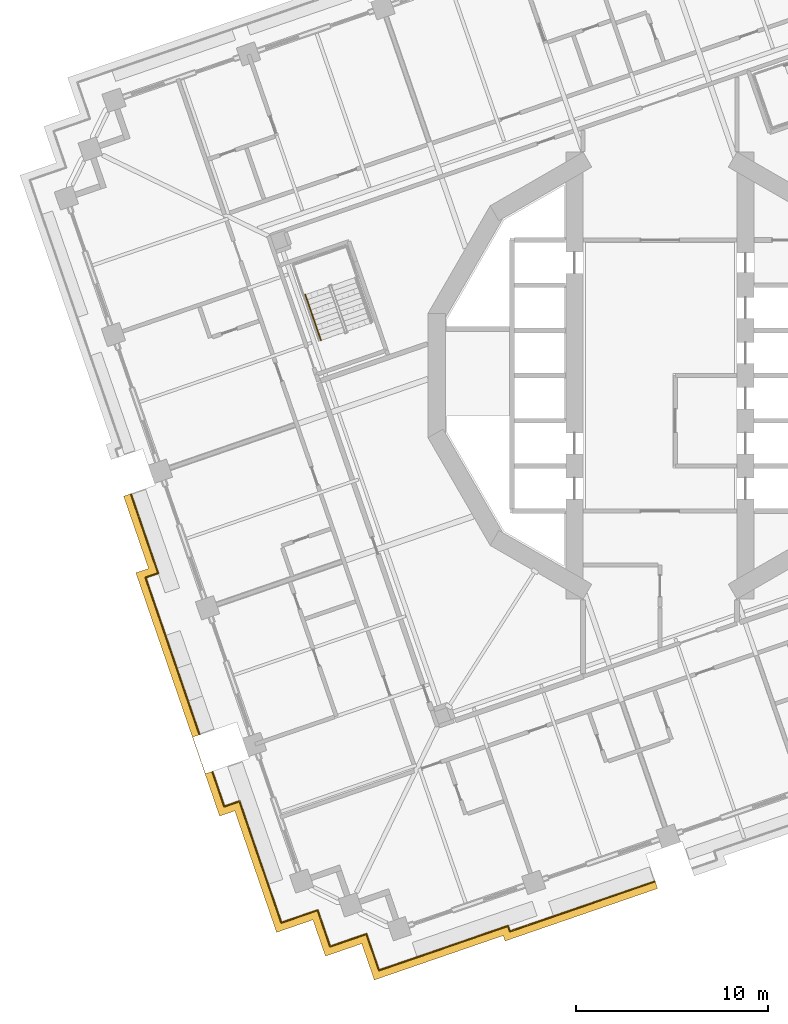
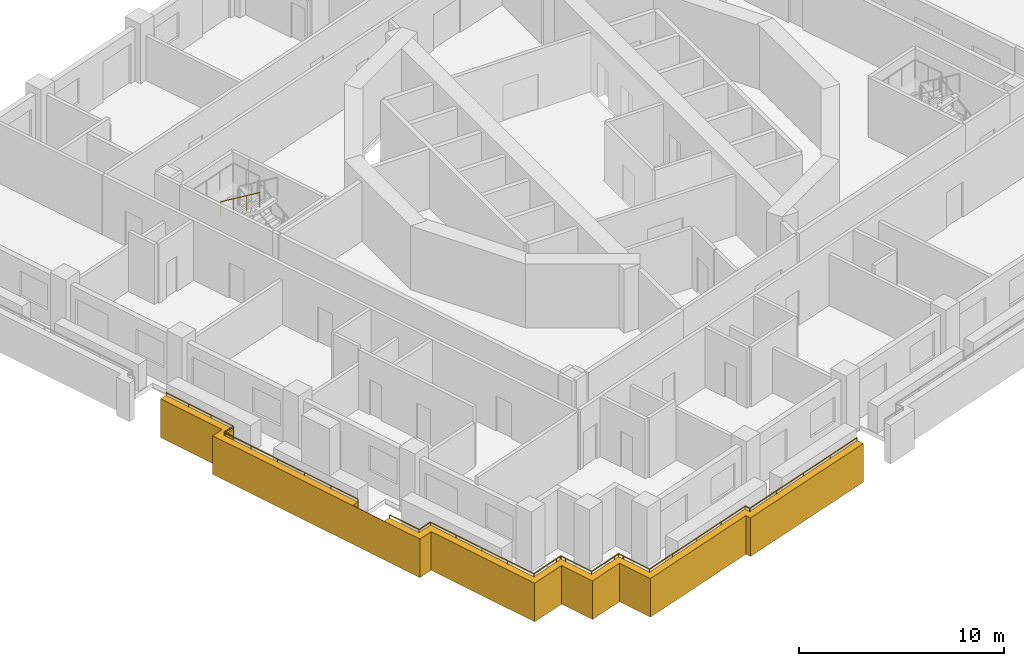
# One storey, part 12 of 19: 5 railings, 1 covering.
"""IFC4 building model written with IfcOpenShell, lengths in metres."""

from ifc_helpers import new_model, si_unit, direction, frame, origin, origin_2d, place, context, subcontext, project, spatial, polyline, circle, outline, extrude, material, type_object, element, save


model = new_model("IFC4")

# Units and contexts
model_context = context("Model", 3, precision=1e-05, world=origin(), true_north=direction((0.0, 1.0)))
body_context = subcontext(model_context, "Body", "Model", "MODEL_VIEW")
ifc_project = project(units=[si_unit("LENGTHUNIT", "METRE"), si_unit("AREAUNIT", "SQUARE_METRE"), si_unit("VOLUMEUNIT", "CUBIC_METRE"), si_unit("PLANEANGLEUNIT", "RADIAN"), si_unit("MASSUNIT", "GRAM", prefix="KILO")], contexts=[model_context])

# Site, building, storey
site_placement = place(None, origin())
site = spatial("IfcSite", under=ifc_project, at=site_placement, CompositionType="ELEMENT")
building_placement = place(site_placement, origin())
building = spatial("IfcBuilding", under=site, at=building_placement, Name="Cantera Rosa Tower", CompositionType="ELEMENT")
storey_placement = place(building_placement, frame((0.0, 0.0, 111.699951171875)))
storey = spatial("IfcBuildingStorey", under=building, at=storey_placement, Name="L22", CompositionType="ELEMENT", Elevation=111.699951171875)

# Railings
ifc_material_1 = material(Name="Stainless steel and laminated glass", Category="steel")
railing_type_1 = type_object("IfcRailingType", Name="GUARD 1100", PredefinedType="BALUSTRADE", material=ifc_material_1)
railing_1_placement = place(storey_placement, frame((-19.705810546875, -28.466552734375, 0.0)))
element("IfcRailing", 1, at=railing_1_placement, inside=storey, type_object=railing_type_1, Name="GUARD L22-1", PredefinedType="BALUSTRADE", context=body_context, shape_type="SweptSolid", body=[
    extrude(circle(Radius=0.030029296875, at=origin_2d()), frame((0.0, 0.0, 1.070068359375), z_axis=(-0.325561349174, 0.945520918819, 0.0), x_axis=(-0.945520918819, -0.325561349174, 0.0)), (0.0, 0.0, 1.0), 1.699951171875),
    extrude(circle(Radius=0.030029296875, at=origin_2d()), frame((-0.553466796875, 1.607421875, 1.070068359375), z_axis=(-0.325584707216, 0.945512875865, 0.0), x_axis=(-0.945512875865, -0.325584707216, 0.0)), (0.0, 0.0, 1.0), 4.98583984375),
    extrude(circle(Radius=0.030029296875, at=origin_2d()), frame((-2.1767578125, 6.321533203125, 1.070068359375), z_axis=(-0.94547555612, -0.325693065293, 0.0), x_axis=(0.325693065293, -0.94547555612, 0.0)), (0.0, 0.0, 1.0), 0.834228515625),
    extrude(circle(Radius=0.030029296875, at=origin_2d()), frame((-2.965576171875, 6.0498046875, 1.070068359375), z_axis=(-0.325520455673, 0.945534998262, 0.0), x_axis=(-0.945534998262, -0.325520455673, 0.0)), (0.0, 0.0, 1.0), 1.904296875),
    extrude(circle(Radius=0.02490234375, at=origin_2d()), origin(), (0.0, 0.0, 1.0), 1.0400390625),
    extrude(circle(Radius=0.02490234375, at=origin_2d()), frame((-0.553466796875, 1.607421875, 0.0)), (0.0, 0.0, 1.0), 1.0400390625),
    extrude(circle(Radius=0.02490234375, at=origin_2d()), frame((-1.094482421875, 3.1787109375, 0.0)), (0.0, 0.0, 1.0), 1.0400390625),
    extrude(circle(Radius=0.02490234375, at=origin_2d()), frame((-1.6357421875, 4.750244140625, 0.0)), (0.0, 0.0, 1.0), 1.0400390625),
    extrude(circle(Radius=0.02490234375, at=origin_2d()), frame((-2.1767578125, 6.321533203125, 0.0)), (0.0, 0.0, 1.0), 1.0400390625),
    extrude(circle(Radius=0.02490234375, at=origin_2d()), frame((-2.965576171875, 6.0498046875, 0.0)), (0.0, 0.0, 1.0), 1.0400390625),
    extrude(circle(Radius=0.02490234375, at=origin_2d()), frame((-3.58544921875, 7.850341796875, 0.0)), (0.0, 0.0, 1.0), 1.0400390625),
])
railing_2_placement = place(storey_placement, frame((-0.275146484375, -26.32275390625, 0.0)))
element("IfcRailing", 2, at=railing_2_placement, inside=storey, type_object=railing_type_1, Name="GUARD L22-2", PredefinedType="BALUSTRADE", context=body_context, shape_type="SweptSolid", body=[
    extrude(circle(Radius=0.030029296875, at=origin_2d()), frame((0.0, 0.0, 1.070068359375), z_axis=(-0.945508985481, -0.32559600485, 0.0), x_axis=(0.32559600485, -0.945508985481, 0.0)), (0.0, 0.0, 1.0), 7.96923828125),
    extrude(circle(Radius=0.030029296875, at=origin_2d()), frame((-7.534912109375, -2.5947265625, 1.070068359375), z_axis=(-0.325512939397, 0.945537585866, 0.0), x_axis=(-0.945537585866, -0.325512939397, 0.0)), (0.0, 0.0, 1.0), 0.29931640625),
    extrude(circle(Radius=0.030029296875, at=origin_2d()), frame((-7.63232421875, -2.311767578125, 1.070068359375), z_axis=(-0.945522759596, -0.325556002993, 0.0), x_axis=(0.325556002993, -0.945522759596, 0.0)), (0.0, 0.0, 1.0), 5.40087890625),
    extrude(circle(Radius=0.030029296875, at=origin_2d()), frame((-12.739013671875, -4.070068359375, 1.070068359375), z_axis=(-0.945520918819, -0.325561349174, 0.0), x_axis=(0.325561349174, -0.945520918819, 0.0)), (0.0, 0.0, 1.0), 1.699951171875),
    extrude(circle(Radius=0.030029296875, at=origin_2d()), frame((-14.346435546875, -4.62353515625, 1.070068359375), z_axis=(-0.325561349174, 0.945520918819, 0.0), x_axis=(-0.945520918819, -0.325561349174, 0.0)), (0.0, 0.0, 1.0), 1.699951171875),
    extrude(circle(Radius=0.030029296875, at=origin_2d()), frame((-14.89990234375, -3.01611328125, 1.070068359375), z_axis=(-0.325489086777, 0.945545797087, 0.0), x_axis=(-0.945545797087, -0.325489086777, 0.0)), (0.0, 0.0, 1.0), 0.300048828125),
    extrude(circle(Radius=0.030029296875, at=origin_2d()), frame((-14.99755859375, -2.732421875, 1.070068359375), z_axis=(-0.945459489149, -0.325739703411, 0.0), x_axis=(0.325739703411, -0.945459489149, 0.0)), (0.0, 0.0, 1.0), 0.2998046875),
    extrude(circle(Radius=0.030029296875, at=origin_2d()), frame((-15.281005859375, -2.830078125, 1.070068359375), z_axis=(-0.945520918819, -0.325561349174, 0.0), x_axis=(0.325561349174, -0.945520918819, 0.0)), (0.0, 0.0, 1.0), 1.699951171875),
    extrude(circle(Radius=0.030029296875, at=origin_2d()), frame((-16.888427734375, -3.383544921875, 1.070068359375), z_axis=(-0.325605561237, 0.945505694584, 0.0), x_axis=(-0.945505694584, -0.325605561237, 0.0)), (0.0, 0.0, 1.0), 1.69970703125),
    extrude(circle(Radius=0.030029296875, at=origin_2d()), frame((-17.44189453125, -1.7763671875, 1.070068359375), z_axis=(-0.325489086777, 0.945545797087, 0.0), x_axis=(-0.945545797087, -0.325489086777, 0.0)), (0.0, 0.0, 1.0), 0.300048828125),
    extrude(circle(Radius=0.030029296875, at=origin_2d()), frame((-17.53955078125, -1.49267578125, 1.070068359375), z_axis=(-0.945545797087, -0.325489086777, 0.0), x_axis=(0.325489086777, -0.945545797087, 0.0)), (0.0, 0.0, 1.0), 0.300048828125),
    extrude(circle(Radius=0.030029296875, at=origin_2d()), frame((-17.8232421875, -1.59033203125, 1.070068359375), z_axis=(-0.945520918819, -0.325561349174, 0.0), x_axis=(0.325561349174, -0.945520918819, 0.0)), (0.0, 0.0, 1.0), 1.699951171875),
    extrude(circle(Radius=0.02490234375, at=origin_2d()), origin(), (0.0, 0.0, 1.0), 1.0400390625),
    extrude(circle(Radius=0.02490234375, at=origin_2d()), frame((-1.8837890625, -0.648681640625, 0.0)), (0.0, 0.0, 1.0), 1.0400390625),
    extrude(circle(Radius=0.02490234375, at=origin_2d()), frame((-3.767578125, -1.29736328125, 0.0)), (0.0, 0.0, 1.0), 1.0400390625),
    extrude(circle(Radius=0.02490234375, at=origin_2d()), frame((-5.651123046875, -1.946044921875, 0.0)), (0.0, 0.0, 1.0), 1.0400390625),
    extrude(circle(Radius=0.02490234375, at=origin_2d()), frame((-7.534912109375, -2.5947265625, 0.0)), (0.0, 0.0, 1.0), 1.0400390625),
    extrude(circle(Radius=0.02490234375, at=origin_2d()), frame((-7.63232421875, -2.311767578125, 0.0)), (0.0, 0.0, 1.0), 1.0400390625),
    extrude(circle(Radius=0.02490234375, at=origin_2d()), frame((-9.33447265625, -2.89794921875, 0.0)), (0.0, 0.0, 1.0), 1.0400390625),
    extrude(circle(Radius=0.02490234375, at=origin_2d()), frame((-11.036865234375, -3.48388671875, 0.0)), (0.0, 0.0, 1.0), 1.0400390625),
    extrude(circle(Radius=0.02490234375, at=origin_2d()), frame((-12.739013671875, -4.070068359375, 0.0)), (0.0, 0.0, 1.0), 1.0400390625),
    extrude(circle(Radius=0.02490234375, at=origin_2d()), frame((-14.346435546875, -4.62353515625, 0.0)), (0.0, 0.0, 1.0), 1.0400390625),
    extrude(circle(Radius=0.02490234375, at=origin_2d()), frame((-14.89990234375, -3.01611328125, 0.0)), (0.0, 0.0, 1.0), 1.0400390625),
    extrude(circle(Radius=0.02490234375, at=origin_2d()), frame((-14.99755859375, -2.732421875, 0.0)), (0.0, 0.0, 1.0), 1.0400390625),
    extrude(circle(Radius=0.02490234375, at=origin_2d()), frame((-15.281005859375, -2.830078125, 0.0)), (0.0, 0.0, 1.0), 1.0400390625),
    extrude(circle(Radius=0.02490234375, at=origin_2d()), frame((-16.888427734375, -3.383544921875, 0.0)), (0.0, 0.0, 1.0), 1.0400390625),
    extrude(circle(Radius=0.02490234375, at=origin_2d()), frame((-17.44189453125, -1.7763671875, 0.0)), (0.0, 0.0, 1.0), 1.0400390625),
    extrude(circle(Radius=0.02490234375, at=origin_2d()), frame((-17.53955078125, -1.49267578125, 0.0)), (0.0, 0.0, 1.0), 1.0400390625),
    extrude(circle(Radius=0.02490234375, at=origin_2d()), frame((-17.8232421875, -1.59033203125, 0.0)), (0.0, 0.0, 1.0), 1.0400390625),
    extrude(circle(Radius=0.02490234375, at=origin_2d()), frame((-19.4306640625, -2.143798828125, 0.0)), (0.0, 0.0, 1.0), 1.0400390625),
])
railing_3_placement = place(storey_placement, frame((-26.110107421875, -10.28662109375, 0.0)))
element("IfcRailing", 3, at=railing_3_placement, inside=storey, type_object=railing_type_1, Name="GUARD L22-5", PredefinedType="BALUSTRADE", context=body_context, shape_type="SweptSolid", body=[
    extrude(circle(Radius=0.030029296875, at=origin_2d()), frame((0.0, 0.0, 1.070068359375), z_axis=(-0.325544978048, 0.945526555559, 0.0), x_axis=(-0.945526555559, -0.325544978048, 0.0)), (0.0, 0.0, 1.0), 4.355712890625),
    extrude(circle(Radius=0.02490234375, at=origin_2d()), origin(), (0.0, 0.0, 1.0), 1.0400390625),
    extrude(circle(Radius=0.02490234375, at=origin_2d()), frame((-0.47265625, 1.372802734375, 0.0)), (0.0, 0.0, 1.0), 1.0400390625),
    extrude(circle(Radius=0.02490234375, at=origin_2d()), frame((-0.9453125, 2.74560546875, 0.0)), (0.0, 0.0, 1.0), 1.0400390625),
    extrude(circle(Radius=0.02490234375, at=origin_2d()), frame((-1.41796875, 4.118408203125, 0.0)), (0.0, 0.0, 1.0), 1.0400390625),
])
railing_4_placement = place(storey_placement, frame((-23.9619140625, -18.668212890625, 0.0)))
element("IfcRailing", 4, at=railing_4_placement, inside=storey, type_object=railing_type_1, Name="GUARD L22-6", PredefinedType="BALUSTRADE", context=body_context, shape_type="SweptSolid", body=[
    extrude(circle(Radius=0.030029296875, at=origin_2d()), frame((0.0, 0.0, 1.070068359375), z_axis=(-0.325579738421, 0.945514586841, 0.0), x_axis=(-0.945514586841, -0.325579738421, 0.0)), (0.0, 0.0, 1.0), 8.624267578125),
    extrude(circle(Radius=0.030029296875, at=origin_2d()), frame((-2.807861328125, 8.154296875, 1.070068359375), z_axis=(0.945451042337, 0.325764219251, 0.0), x_axis=(-0.325764219251, 0.945451042337, 0.0)), (0.0, 0.0, 1.0), 0.69775390625),
    extrude(circle(Radius=0.02490234375, at=origin_2d()), origin(), (0.0, 0.0, 1.0), 1.0400390625),
    extrude(circle(Radius=0.02490234375, at=origin_2d()), frame((-0.5615234375, 1.630859375, 0.0)), (0.0, 0.0, 1.0), 1.0400390625),
    extrude(circle(Radius=0.02490234375, at=origin_2d()), frame((-1.123046875, 3.26171875, 0.0)), (0.0, 0.0, 1.0), 1.0400390625),
    extrude(circle(Radius=0.02490234375, at=origin_2d()), frame((-1.684814453125, 4.892578125, 0.0)), (0.0, 0.0, 1.0), 1.0400390625),
    extrude(circle(Radius=0.02490234375, at=origin_2d()), frame((-2.246337890625, 6.5234375, 0.0)), (0.0, 0.0, 1.0), 1.0400390625),
    extrude(circle(Radius=0.02490234375, at=origin_2d()), frame((-2.807861328125, 8.154296875, 0.0)), (0.0, 0.0, 1.0), 1.0400390625),
    extrude(circle(Radius=0.02490234375, at=origin_2d()), frame((-2.148193359375, 8.381591796875, 0.0)), (0.0, 0.0, 1.0), 1.0400390625),
])
ifc_material_2 = material(Name="Steel S355J2 (EN 10025-2)", Category="steel")
railing_type_2 = type_object("IfcRailingType", Name="STAIR HANDRAIL 900", PredefinedType="HANDRAIL", material=ifc_material_2)
railing_5_placement = place(storey_placement, frame((-18.46484375, 4.21142578125, 2.090087890625)))
element("IfcRailing", 5, at=railing_5_placement, inside=storey, type_object=railing_type_2, Name="L22 ST-22 stair handrail 2", PredefinedType="HANDRAIL", context=body_context, shape_type="SweptSolid", body=[
    extrude(circle(Radius=0.02392578125, at=origin_2d()), frame((0.0, 0.0, 0.8759765625), z_axis=(0.269432418223, -0.782404165978, 0.561471186323), x_axis=(0.94550776501, 0.325599548996, 0.0)), (0.0, 0.0, 1.0), 3.04541015625),
    extrude(circle(Radius=0.02099609375, at=origin_2d()), origin(), (0.0, 0.0, 1.0), 0.851806640625),
    extrude(circle(Radius=0.02099609375, at=origin_2d()), frame((0.2734375, -0.794189453125, 0.570068359375)), (0.0, 0.0, 1.0), 0.851806640625),
    extrude(circle(Radius=0.02099609375, at=origin_2d()), frame((0.547119140625, -1.588623046875, 1.139892578125)), (0.0, 0.0, 1.0), 0.851806640625),
    extrude(circle(Radius=0.02099609375, at=origin_2d()), frame((0.820556640625, -2.3828125, 1.7099609375)), (0.0, 0.0, 1.0), 0.851806640625),
])

# Covering
ifc_material_3 = material(Name="Cantera stone", Category="masonry")
covering_type = type_object("IfcCoveringType", Name="TRAY FASCIA 400", PredefinedType="CLADDING", material=ifc_material_3)
covering_placement = place(storey_placement, frame((0.0, 0.0, -1.39990234375)))
element("IfcCovering", 6, at=covering_placement, inside=storey, type_object=covering_type, Name="TRAY FASCIA L22-02", PredefinedType="CLADDING", context=body_context, shape_type="SweptSolid", body=[
    extrude(outline(polyline([(-8.05810546875, -29.42578125), (-8.155517578125, -29.142822265625), (-12.8837890625, -30.77099609375), (-14.869384765625, -31.454833984375), (-15.5205078125, -29.563720703125), (-17.41162109375, -30.21484375), (-18.062744140625, -28.32373046875), (-19.953857421875, -28.974853515625), (-20.637451171875, -26.9892578125), (-22.13037109375, -22.653564453125), (-22.919189453125, -22.925048828125), (-27.278076171875, -10.265869140625), (-26.618408203125, -10.038818359375), (-27.912841796875, -6.279541015625), (-27.53466796875, -6.1494140625), (-26.110107421875, -10.28662109375), (-26.769775390625, -10.513916015625), (-23.95556640625, -18.687255859375), (-24.30126953125, -18.806396484375), (-24.30224609375, -18.806640625), (-24.302978515625, -18.80712890625), (-24.303955078125, -18.8076171875), (-24.3046875, -18.808349609375), (-24.305419921875, -18.808837890625), (-24.305908203125, -18.809814453125), (-24.306396484375, -18.810546875), (-24.306884765625, -18.811279296875), (-24.307373046875, -18.812255859375), (-24.3076171875, -18.813232421875), (-24.307861328125, -18.814208984375), (-24.307861328125, -18.815185546875), (-24.307861328125, -18.816162109375), (-24.307861328125, -18.817138671875), (-24.3076171875, -18.818115234375), (-24.307373046875, -18.819091796875), (-23.65625, -20.7099609375), (-23.656005859375, -20.7109375), (-23.655517578125, -20.7119140625), (-23.655029296875, -20.712646484375), (-23.654296875, -20.71337890625), (-23.653564453125, -20.714111328125), (-23.65283203125, -20.71484375), (-23.652099609375, -20.71533203125), (-23.651123046875, -20.7158203125), (-23.650390625, -20.716064453125), (-23.6494140625, -20.716552734375), (-23.6484375, -20.716552734375), (-23.6474609375, -20.716796875), (-23.646484375, -20.716796875), (-23.6455078125, -20.716796875), (-23.64453125, -20.716552734375), (-23.6435546875, -20.71630859375), (-23.2978515625, -20.59716796875), (-22.67138671875, -22.416748046875), (-21.882568359375, -22.14501953125), (-20.25927734375, -26.859130859375), (-19.705810546875, -28.466552734375), (-18.098388671875, -27.9130859375), (-17.814697265625, -27.8154296875), (-17.717041015625, -28.09912109375), (-17.16357421875, -29.706298828125), (-15.55615234375, -29.15283203125), (-15.272705078125, -29.05517578125), (-15.175048828125, -29.3388671875), (-14.62158203125, -30.9462890625), (-13.01416015625, -30.392822265625), (-7.907470703125, -28.634521484375), (-7.81005859375, -28.91748046875), (-0.256103515625, -26.31640625), (-0.1259765625, -26.694580078125), (-8.05810546875, -29.42578125)])), origin(), (0.0, 0.0, 1.0), 2.300048828125),
])

save(model, "model.ifc")
